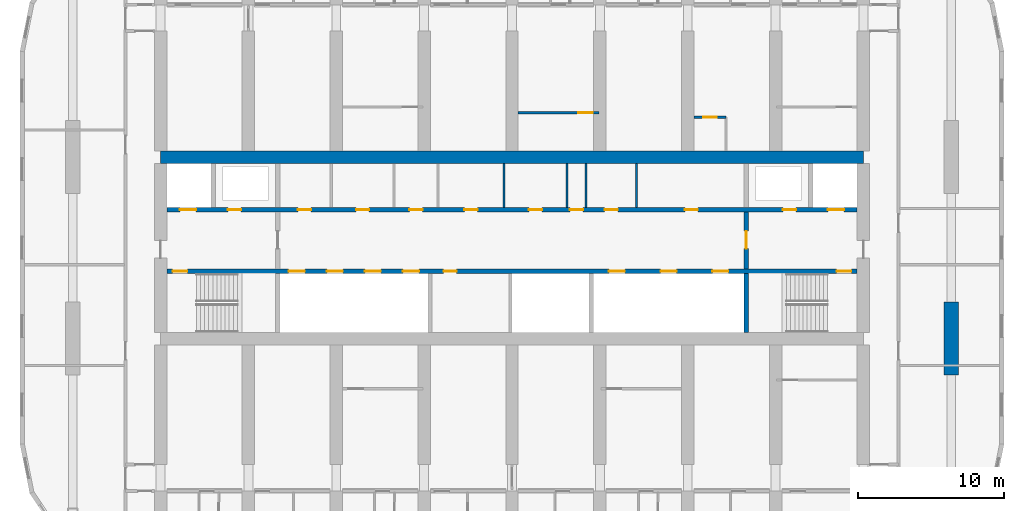
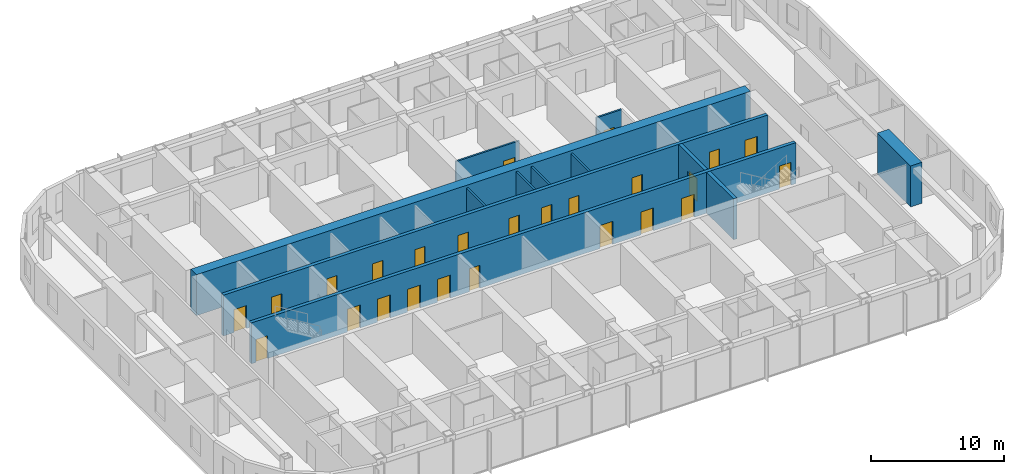
# One storey, part 13 of 22: 25 doors, 12 walls, 25 openings.
"""IFC4 building model written with IfcOpenShell, lengths in metres."""

from ifc_helpers import new_model, si_unit, direction, frame, frame_2d, origin, place, context, subcontext, project, spatial, rectangle, extrude, material, layer, layer_set, type_object, element, fill, save


model = new_model("IFC4")

# Units and contexts
model_context = context("Model", 3, precision=1e-05, world=origin(), true_north=direction((0.0, 1.0)))
body_context = subcontext(model_context, "Body", "Model", "MODEL_VIEW")
ifc_project = project(units=[si_unit("LENGTHUNIT", "METRE"), si_unit("AREAUNIT", "SQUARE_METRE"), si_unit("VOLUMEUNIT", "CUBIC_METRE"), si_unit("PLANEANGLEUNIT", "RADIAN"), si_unit("MASSUNIT", "GRAM", prefix="KILO")], contexts=[model_context])

# Site, building, storey
site_placement = place(None, origin())
site = spatial("IfcSite", under=ifc_project, at=site_placement, CompositionType="ELEMENT")
building_placement = place(site_placement, origin())
building = spatial("IfcBuilding", under=site, at=building_placement, Name="Orbita Commons", CompositionType="ELEMENT")
storey_placement = place(building_placement, frame((0.0, 0.0, 156.10009765625)))
storey = spatial("IfcBuildingStorey", under=building, at=storey_placement, Name="L38", CompositionType="ELEMENT", Elevation=156.10009765625)

# Wall, openings, doors
ifc_material_1 = material(Name="Concrete C50/60", Category="concrete")
ifc_layer_1 = layer(ifc_material_1, 0.300048828125)
ifc_layer_set_1 = layer_set([ifc_layer_1], Name="Concrete C50/60")
wall_type_1 = type_object("IfcWallType", Name="Core inner wall 300 C50/60", PredefinedType="SHEAR", material=ifc_layer_set_1)
wall_1_placement = place(storey_placement, frame((18.425048828125, 30.39990234375, 0.0), z_axis=(0.0, 0.0, 1.0), x_axis=(1.0, 0.0, 0.0)))
wall_1 = element("IfcWall", 1, at=wall_1_placement, inside=storey, type_object=wall_type_1, Name="Lobby wall south L38", PredefinedType="SHEAR", context=body_context, shape_type="SweptSolid", body=[
    extrude(rectangle(XDim=47.14990234375, YDim=0.300048828125, at=frame_2d((23.574951171875, 0.0))), origin(), (0.0, 0.0, 1.0), 3.75),
])
opening_1_placement = place(wall_1_placement, frame((0.39990234375, 0.0, 0.0)))
opening_1 = element("IfcOpeningElement", 2, at=opening_1_placement, cuts=wall_1, Name="Opening D02", PredefinedType="OPENING", context=body_context, shape_type="SweptSolid", body=[
    extrude(rectangle(XDim=1.0, YDim=2.10009765625, at=frame_2d((0.5, 1.050048828125))), frame((0.0, 0.159912109375, 0.0), z_axis=(0.0, -1.0, 0.0), x_axis=(1.0, 0.0, 0.0)), (0.0, 0.0, 1.0), 0.320068359375),
])
opening_2_placement = place(wall_1_placement, frame((45.75, 0.0, 0.0)))
opening_2 = element("IfcOpeningElement", 3, at=opening_2_placement, cuts=wall_1, Name="Opening D02", PredefinedType="OPENING", context=body_context, shape_type="SweptSolid", body=[
    extrude(rectangle(XDim=1.0, YDim=2.10009765625, at=frame_2d((0.5, 1.050048828125))), frame((0.0, 0.159912109375, 0.0), z_axis=(0.0, -1.0, 0.0), x_axis=(1.0, 0.0, 0.0)), (0.0, 0.0, 1.0), 0.320068359375),
])
opening_3_placement = place(wall_1_placement, frame((8.324951171875, 0.0, 0.0)))
opening_3 = element("IfcOpeningElement", 4, at=opening_3_placement, cuts=wall_1, Name="Opening LD02", PredefinedType="OPENING", context=body_context, shape_type="SweptSolid", body=[
    extrude(rectangle(XDim=1.10009765625, YDim=2.10009765625, at=frame_2d((0.550048828125, 1.050048828125))), frame((0.0, 0.159912109375, 0.0), z_axis=(0.0, -1.0, 0.0), x_axis=(1.0, 0.0, 0.0)), (0.0, 0.0, 1.0), 0.320068359375),
])
opening_4_placement = place(wall_1_placement, frame((10.925048828125, 0.0, 0.0)))
opening_4 = element("IfcOpeningElement", 5, at=opening_4_placement, cuts=wall_1, Name="Opening LD02", PredefinedType="OPENING", context=body_context, shape_type="SweptSolid", body=[
    extrude(rectangle(XDim=1.10009765625, YDim=2.10009765625, at=frame_2d((0.550048828125, 1.050048828125))), frame((0.0, 0.159912109375, 0.0), z_axis=(0.0, -1.0, 0.0), x_axis=(1.0, 0.0, 0.0)), (0.0, 0.0, 1.0), 0.320068359375),
])
opening_5_placement = place(wall_1_placement, frame((13.52490234375, 0.0, 0.0)))
opening_5 = element("IfcOpeningElement", 6, at=opening_5_placement, cuts=wall_1, Name="Opening LD02", PredefinedType="OPENING", context=body_context, shape_type="SweptSolid", body=[
    extrude(rectangle(XDim=1.10009765625, YDim=2.10009765625, at=frame_2d((0.550048828125, 1.050048828125))), frame((0.0, 0.159912109375, 0.0), z_axis=(0.0, -1.0, 0.0), x_axis=(1.0, 0.0, 0.0)), (0.0, 0.0, 1.0), 0.320068359375),
])
opening_6_placement = place(wall_1_placement, frame((16.125, 0.0, 0.0)))
opening_6 = element("IfcOpeningElement", 7, at=opening_6_placement, cuts=wall_1, Name="Opening LD02", PredefinedType="OPENING", context=body_context, shape_type="SweptSolid", body=[
    extrude(rectangle(XDim=1.10009765625, YDim=2.10009765625, at=frame_2d((0.550048828125, 1.050048828125))), frame((0.0, 0.159912109375, 0.0), z_axis=(0.0, -1.0, 0.0), x_axis=(1.0, 0.0, 0.0)), (0.0, 0.0, 1.0), 0.320068359375),
])
opening_7_placement = place(wall_1_placement, frame((18.89990234375, 0.0, 0.0)))
opening_7 = element("IfcOpeningElement", 8, at=opening_7_placement, cuts=wall_1, Name="Opening D05", PredefinedType="OPENING", context=body_context, shape_type="SweptSolid", body=[
    extrude(rectangle(XDim=0.89990234375, YDim=2.10009765625, at=frame_2d((0.449951171875, 1.050048828125))), frame((0.0, 0.159912109375, 0.0), z_axis=(0.0, -1.0, 0.0), x_axis=(1.0, 0.0, 0.0)), (0.0, 0.0, 1.0), 0.320068359375),
])
opening_8_placement = place(wall_1_placement, frame((30.191650390625, 0.0, 0.0)))
opening_8 = element("IfcOpeningElement", 9, at=opening_8_placement, cuts=wall_1, Name="Opening LD02", PredefinedType="OPENING", context=body_context, shape_type="SweptSolid", body=[
    extrude(rectangle(XDim=1.10009765625, YDim=2.10009765625, at=frame_2d((0.550048828125, 1.050048828125))), frame((0.0, 0.159912109375, 0.0), z_axis=(0.0, -1.0, 0.0), x_axis=(1.0, 0.0, 0.0)), (0.0, 0.0, 1.0), 0.320068359375),
])
opening_9_placement = place(wall_1_placement, frame((33.72509765625, 0.0, 0.0)))
opening_9 = element("IfcOpeningElement", 10, at=opening_9_placement, cuts=wall_1, Name="Opening LD02", PredefinedType="OPENING", context=body_context, shape_type="SweptSolid", body=[
    extrude(rectangle(XDim=1.10009765625, YDim=2.10009765625, at=frame_2d((0.550048828125, 1.050048828125))), frame((0.0, 0.159912109375, 0.0), z_axis=(0.0, -1.0, 0.0), x_axis=(1.0, 0.0, 0.0)), (0.0, 0.0, 1.0), 0.320068359375),
])
opening_10_placement = place(wall_1_placement, frame((37.25830078125, 0.0, 0.0)))
opening_10 = element("IfcOpeningElement", 11, at=opening_10_placement, cuts=wall_1, Name="Opening LD02", PredefinedType="OPENING", context=body_context, shape_type="SweptSolid", body=[
    extrude(rectangle(XDim=1.10009765625, YDim=2.10009765625, at=frame_2d((0.550048828125, 1.050048828125))), frame((0.0, 0.159912109375, 0.0), z_axis=(0.0, -1.0, 0.0), x_axis=(1.0, 0.0, 0.0)), (0.0, 0.0, 1.0), 0.320068359375),
])
ifc_material_2 = material(Name="Steel-faced fire door leaf", Category="steel")
door_type_1 = type_object("IfcDoorType", Name="Fire door 90 min 1000x2100", OperationType="SINGLE_SWING_LEFT", PredefinedType="DOOR", material=ifc_material_2)
door_1_placement = place(opening_1_placement, origin())
door_1 = element("IfcDoor", 12, at=door_1_placement, inside=storey, type_object=door_type_1, Name="Stair S1 door", OperationType="SINGLE_SWING_LEFT", OverallHeight=2.10009765625, OverallWidth=1.0, PredefinedType="DOOR", context=body_context, shape_type="SweptSolid", body=[
    extrude(rectangle(XDim=1.0, YDim=2.10009765625, at=frame_2d((0.5, 1.050048828125))), frame((0.0, 0.02490234375, 0.0), z_axis=(0.0, -1.0, 0.0), x_axis=(1.0, 0.0, 0.0)), (0.0, 0.0, 1.0), 0.050048828125),
])
fill(opening_1, door_1)
door_2_placement = place(opening_2_placement, origin())
door_2 = element("IfcDoor", 13, at=door_2_placement, inside=storey, type_object=door_type_1, Name="Stair S2 door", OperationType="SINGLE_SWING_LEFT", OverallHeight=2.10009765625, OverallWidth=1.0, PredefinedType="DOOR", context=body_context, shape_type="SweptSolid", body=[
    extrude(rectangle(XDim=1.0, YDim=2.10009765625, at=frame_2d((0.5, 1.050048828125))), frame((0.0, 0.02490234375, 0.0), z_axis=(0.0, -1.0, 0.0), x_axis=(1.0, 0.0, 0.0)), (0.0, 0.0, 1.0), 0.050048828125),
])
fill(opening_2, door_2)
ifc_material_3 = material(Name="Steel-faced fire door leaf", Category="steel")
door_type_2 = type_object("IfcDoorType", Name="Lift landing door 1100x2100", OperationType="DOUBLE_DOOR_SLIDING", PredefinedType="DOOR", material=ifc_material_3)
door_3_placement = place(opening_3_placement, origin())
door_3 = element("IfcDoor", 14, at=door_3_placement, inside=storey, type_object=door_type_2, Name="Lift P31 landing door", OperationType="DOUBLE_DOOR_SLIDING", OverallHeight=2.10009765625, OverallWidth=1.10009765625, PredefinedType="DOOR", context=body_context, shape_type="SweptSolid", body=[
    extrude(rectangle(XDim=1.10009765625, YDim=2.10009765625, at=frame_2d((0.550048828125, 1.050048828125))), frame((0.0, 0.02490234375, 0.0), z_axis=(0.0, -1.0, 0.0), x_axis=(1.0, 0.0, 0.0)), (0.0, 0.0, 1.0), 0.050048828125),
])
fill(opening_3, door_3)
door_4_placement = place(opening_4_placement, origin())
door_4 = element("IfcDoor", 15, at=door_4_placement, inside=storey, type_object=door_type_2, Name="Lift P32 landing door", OperationType="DOUBLE_DOOR_SLIDING", OverallHeight=2.10009765625, OverallWidth=1.10009765625, PredefinedType="DOOR", context=body_context, shape_type="SweptSolid", body=[
    extrude(rectangle(XDim=1.10009765625, YDim=2.10009765625, at=frame_2d((0.550048828125, 1.050048828125))), frame((0.0, 0.02490234375, 0.0), z_axis=(0.0, -1.0, 0.0), x_axis=(1.0, 0.0, 0.0)), (0.0, 0.0, 1.0), 0.050048828125),
])
fill(opening_4, door_4)
door_5_placement = place(opening_5_placement, origin())
door_5 = element("IfcDoor", 16, at=door_5_placement, inside=storey, type_object=door_type_2, Name="Lift P33 landing door", OperationType="DOUBLE_DOOR_SLIDING", OverallHeight=2.10009765625, OverallWidth=1.10009765625, PredefinedType="DOOR", context=body_context, shape_type="SweptSolid", body=[
    extrude(rectangle(XDim=1.10009765625, YDim=2.10009765625, at=frame_2d((0.550048828125, 1.050048828125))), frame((0.0, 0.02490234375, 0.0), z_axis=(0.0, -1.0, 0.0), x_axis=(1.0, 0.0, 0.0)), (0.0, 0.0, 1.0), 0.050048828125),
])
fill(opening_5, door_5)
door_6_placement = place(opening_6_placement, origin())
door_6 = element("IfcDoor", 17, at=door_6_placement, inside=storey, type_object=door_type_2, Name="Lift P34 landing door", OperationType="DOUBLE_DOOR_SLIDING", OverallHeight=2.10009765625, OverallWidth=1.10009765625, PredefinedType="DOOR", context=body_context, shape_type="SweptSolid", body=[
    extrude(rectangle(XDim=1.10009765625, YDim=2.10009765625, at=frame_2d((0.550048828125, 1.050048828125))), frame((0.0, 0.02490234375, 0.0), z_axis=(0.0, -1.0, 0.0), x_axis=(1.0, 0.0, 0.0)), (0.0, 0.0, 1.0), 0.050048828125),
])
fill(opening_6, door_6)
door_7_placement = place(opening_8_placement, origin())
door_7 = element("IfcDoor", 18, at=door_7_placement, inside=storey, type_object=door_type_2, Name="Lift SV1 landing door", OperationType="DOUBLE_DOOR_SLIDING", OverallHeight=2.10009765625, OverallWidth=1.10009765625, PredefinedType="DOOR", context=body_context, shape_type="SweptSolid", body=[
    extrude(rectangle(XDim=1.10009765625, YDim=2.10009765625, at=frame_2d((0.550048828125, 1.050048828125))), frame((0.0, 0.02490234375, 0.0), z_axis=(0.0, -1.0, 0.0), x_axis=(1.0, 0.0, 0.0)), (0.0, 0.0, 1.0), 0.050048828125),
])
fill(opening_8, door_7)
door_8_placement = place(opening_9_placement, origin())
door_8 = element("IfcDoor", 19, at=door_8_placement, inside=storey, type_object=door_type_2, Name="Lift SV2 landing door", OperationType="DOUBLE_DOOR_SLIDING", OverallHeight=2.10009765625, OverallWidth=1.10009765625, PredefinedType="DOOR", context=body_context, shape_type="SweptSolid", body=[
    extrude(rectangle(XDim=1.10009765625, YDim=2.10009765625, at=frame_2d((0.550048828125, 1.050048828125))), frame((0.0, 0.02490234375, 0.0), z_axis=(0.0, -1.0, 0.0), x_axis=(1.0, 0.0, 0.0)), (0.0, 0.0, 1.0), 0.050048828125),
])
fill(opening_9, door_8)
door_9_placement = place(opening_10_placement, origin())
door_9 = element("IfcDoor", 20, at=door_9_placement, inside=storey, type_object=door_type_2, Name="Lift SV3 landing door", OperationType="DOUBLE_DOOR_SLIDING", OverallHeight=2.10009765625, OverallWidth=1.10009765625, PredefinedType="DOOR", context=body_context, shape_type="SweptSolid", body=[
    extrude(rectangle(XDim=1.10009765625, YDim=2.10009765625, at=frame_2d((0.550048828125, 1.050048828125))), frame((0.0, 0.02490234375, 0.0), z_axis=(0.0, -1.0, 0.0), x_axis=(1.0, 0.0, 0.0)), (0.0, 0.0, 1.0), 0.050048828125),
])
fill(opening_10, door_9)
ifc_material_4 = material(Name="Steel-faced fire door leaf", Category="steel")
door_type_3 = type_object("IfcDoorType", Name="Service door 20 min 900x2100", OperationType="SINGLE_SWING_LEFT", PredefinedType="DOOR", material=ifc_material_4)
door_10_placement = place(opening_7_placement, origin())
door_10 = element("IfcDoor", 21, at=door_10_placement, inside=storey, type_object=door_type_3, Name="Telecoms room door", OperationType="SINGLE_SWING_LEFT", OverallHeight=2.10009765625, OverallWidth=0.89990234375, PredefinedType="DOOR", context=body_context, shape_type="SweptSolid", body=[
    extrude(rectangle(XDim=0.89990234375, YDim=2.10009765625, at=frame_2d((0.449951171875, 1.050048828125))), frame((0.0, 0.02490234375, 0.0), z_axis=(0.0, -1.0, 0.0), x_axis=(1.0, 0.0, 0.0)), (0.0, 0.0, 1.0), 0.050048828125),
])
fill(opening_7, door_10)

wall_2_placement = place(storey_placement, frame((18.425048828125, 34.60009765625, 0.0), z_axis=(0.0, 0.0, 1.0), x_axis=(1.0, 0.0, 0.0)))
wall_2 = element("IfcWall", 22, at=wall_2_placement, inside=storey, type_object=wall_type_1, Name="Lobby wall north L38", PredefinedType="SHEAR", context=body_context, shape_type="SweptSolid", body=[
    extrude(rectangle(XDim=47.14990234375, YDim=0.300048828125, at=frame_2d((23.574951171875, 0.0))), origin(), (0.0, 0.0, 1.0), 3.75),
])
opening_11_placement = place(wall_2_placement, frame((0.89990234375, 0.0, 0.0)))
opening_11 = element("IfcOpeningElement", 23, at=opening_11_placement, cuts=wall_2, Name="Opening LD01", PredefinedType="OPENING", context=body_context, shape_type="SweptSolid", body=[
    extrude(rectangle(XDim=1.10009765625, YDim=2.10009765625, at=frame_2d((0.550048828125, 1.050048828125))), frame((0.0, 0.159912109375, 0.0), z_axis=(0.0, -1.0, 0.0), x_axis=(1.0, 0.0, 0.0)), (0.0, 0.0, 1.0), 0.320068359375),
])
opening_12_placement = place(wall_2_placement, frame((45.14990234375, 0.0, 0.0)))
opening_12 = element("IfcOpeningElement", 24, at=opening_12_placement, cuts=wall_2, Name="Opening LD01", PredefinedType="OPENING", context=body_context, shape_type="SweptSolid", body=[
    extrude(rectangle(XDim=1.10009765625, YDim=2.10009765625, at=frame_2d((0.550048828125, 1.050048828125))), frame((0.0, 0.159912109375, 0.0), z_axis=(0.0, -1.0, 0.0), x_axis=(1.0, 0.0, 0.0)), (0.0, 0.0, 1.0), 0.320068359375),
])
opening_13_placement = place(wall_2_placement, frame((4.175048828125, 0.0, 0.0)))
opening_13 = element("IfcOpeningElement", 25, at=opening_13_placement, cuts=wall_2, Name="Opening D03", PredefinedType="OPENING", context=body_context, shape_type="SweptSolid", body=[
    extrude(rectangle(XDim=0.89990234375, YDim=2.10009765625, at=frame_2d((0.449951171875, 1.050048828125))), frame((0.0, 0.159912109375, 0.0), z_axis=(0.0, -1.0, 0.0), x_axis=(1.0, 0.0, 0.0)), (0.0, 0.0, 1.0), 0.320068359375),
])
opening_14_placement = place(wall_2_placement, frame((42.074951171875, 0.0, 0.0)))
opening_14 = element("IfcOpeningElement", 26, at=opening_14_placement, cuts=wall_2, Name="Opening D03", PredefinedType="OPENING", context=body_context, shape_type="SweptSolid", body=[
    extrude(rectangle(XDim=0.89990234375, YDim=2.10009765625, at=frame_2d((0.449951171875, 1.050048828125))), frame((0.0, 0.159912109375, 0.0), z_axis=(0.0, -1.0, 0.0), x_axis=(1.0, 0.0, 0.0)), (0.0, 0.0, 1.0), 0.320068359375),
])
opening_15_placement = place(wall_2_placement, frame((8.950439453125, 0.0, 0.0)))
opening_15 = element("IfcOpeningElement", 27, at=opening_15_placement, cuts=wall_2, Name="Opening D05", PredefinedType="OPENING", context=body_context, shape_type="SweptSolid", body=[
    extrude(rectangle(XDim=0.89990234375, YDim=2.10009765625, at=frame_2d((0.449951171875, 1.050048828125))), frame((0.0, 0.159912109375, 0.0), z_axis=(0.0, -1.0, 0.0), x_axis=(1.0, 0.0, 0.0)), (0.0, 0.0, 1.0), 0.320068359375),
])
opening_16_placement = place(wall_2_placement, frame((12.923583984375, 0.0, 0.0)))
opening_16 = element("IfcOpeningElement", 28, at=opening_16_placement, cuts=wall_2, Name="Opening D03", PredefinedType="OPENING", context=body_context, shape_type="SweptSolid", body=[
    extrude(rectangle(XDim=0.89990234375, YDim=2.10009765625, at=frame_2d((0.449951171875, 1.050048828125))), frame((0.0, 0.159912109375, 0.0), z_axis=(0.0, -1.0, 0.0), x_axis=(1.0, 0.0, 0.0)), (0.0, 0.0, 1.0), 0.320068359375),
])
opening_17_placement = place(wall_2_placement, frame((16.5712890625, 0.0, 0.0)))
opening_17 = element("IfcOpeningElement", 29, at=opening_17_placement, cuts=wall_2, Name="Opening D03", PredefinedType="OPENING", context=body_context, shape_type="SweptSolid", body=[
    extrude(rectangle(XDim=0.89990234375, YDim=2.10009765625, at=frame_2d((0.449951171875, 1.050048828125))), frame((0.0, 0.159912109375, 0.0), z_axis=(0.0, -1.0, 0.0), x_axis=(1.0, 0.0, 0.0)), (0.0, 0.0, 1.0), 0.320068359375),
])
opening_18_placement = place(wall_2_placement, frame((20.32958984375, 0.0, 0.0)))
opening_18 = element("IfcOpeningElement", 30, at=opening_18_placement, cuts=wall_2, Name="Opening D05", PredefinedType="OPENING", context=body_context, shape_type="SweptSolid", body=[
    extrude(rectangle(XDim=0.89990234375, YDim=2.10009765625, at=frame_2d((0.449951171875, 1.050048828125))), frame((0.0, 0.159912109375, 0.0), z_axis=(0.0, -1.0, 0.0), x_axis=(1.0, 0.0, 0.0)), (0.0, 0.0, 1.0), 0.320068359375),
])
opening_19_placement = place(wall_2_placement, frame((24.735595703125, 0.0, 0.0)))
opening_19 = element("IfcOpeningElement", 31, at=opening_19_placement, cuts=wall_2, Name="Opening D03", PredefinedType="OPENING", context=body_context, shape_type="SweptSolid", body=[
    extrude(rectangle(XDim=0.89990234375, YDim=2.10009765625, at=frame_2d((0.449951171875, 1.050048828125))), frame((0.0, 0.159912109375, 0.0), z_axis=(0.0, -1.0, 0.0), x_axis=(1.0, 0.0, 0.0)), (0.0, 0.0, 1.0), 0.320068359375),
])
opening_20_placement = place(wall_2_placement, frame((27.533447265625, 0.0, 0.0)))
opening_20 = element("IfcOpeningElement", 32, at=opening_20_placement, cuts=wall_2, Name="Opening D03", PredefinedType="OPENING", context=body_context, shape_type="SweptSolid", body=[
    extrude(rectangle(XDim=0.89990234375, YDim=2.10009765625, at=frame_2d((0.449951171875, 1.050048828125))), frame((0.0, 0.159912109375, 0.0), z_axis=(0.0, -1.0, 0.0), x_axis=(1.0, 0.0, 0.0)), (0.0, 0.0, 1.0), 0.320068359375),
])
opening_21_placement = place(wall_2_placement, frame((29.90576171875, 0.0, 0.0)))
opening_21 = element("IfcOpeningElement", 33, at=opening_21_placement, cuts=wall_2, Name="Opening D05", PredefinedType="OPENING", context=body_context, shape_type="SweptSolid", body=[
    extrude(rectangle(XDim=0.89990234375, YDim=2.10009765625, at=frame_2d((0.449951171875, 1.050048828125))), frame((0.0, 0.159912109375, 0.0), z_axis=(0.0, -1.0, 0.0), x_axis=(1.0, 0.0, 0.0)), (0.0, 0.0, 1.0), 0.320068359375),
])
opening_22_placement = place(wall_2_placement, frame((35.37646484375, 0.0, 0.0)))
opening_22 = element("IfcOpeningElement", 34, at=opening_22_placement, cuts=wall_2, Name="Opening D03", PredefinedType="OPENING", context=body_context, shape_type="SweptSolid", body=[
    extrude(rectangle(XDim=0.89990234375, YDim=2.10009765625, at=frame_2d((0.449951171875, 1.050048828125))), frame((0.0, 0.159912109375, 0.0), z_axis=(0.0, -1.0, 0.0), x_axis=(1.0, 0.0, 0.0)), (0.0, 0.0, 1.0), 0.320068359375),
])
ifc_material_5 = material(Name="Steel-faced fire door leaf", Category="steel")
door_type_4 = type_object("IfcDoorType", Name="Firefighting lift landing door 1100x2100", OperationType="DOUBLE_DOOR_SLIDING", PredefinedType="DOOR", material=ifc_material_5)
door_11_placement = place(opening_11_placement, origin())
door_11 = element("IfcDoor", 35, at=door_11_placement, inside=storey, type_object=door_type_4, Name="Firefighting lift FL1 landing door", OperationType="DOUBLE_DOOR_SLIDING", OverallHeight=2.10009765625, OverallWidth=1.10009765625, PredefinedType="DOOR", context=body_context, shape_type="SweptSolid", body=[
    extrude(rectangle(XDim=1.10009765625, YDim=2.10009765625, at=frame_2d((0.550048828125, 1.050048828125))), frame((0.0, 0.02490234375, 0.0), z_axis=(0.0, -1.0, 0.0), x_axis=(1.0, 0.0, 0.0)), (0.0, 0.0, 1.0), 0.050048828125),
])
fill(opening_11, door_11)
door_12_placement = place(opening_12_placement, origin())
door_12 = element("IfcDoor", 36, at=door_12_placement, inside=storey, type_object=door_type_4, Name="Firefighting lift FL2 landing door", OperationType="DOUBLE_DOOR_SLIDING", OverallHeight=2.10009765625, OverallWidth=1.10009765625, PredefinedType="DOOR", context=body_context, shape_type="SweptSolid", body=[
    extrude(rectangle(XDim=1.10009765625, YDim=2.10009765625, at=frame_2d((0.550048828125, 1.050048828125))), frame((0.0, 0.02490234375, 0.0), z_axis=(0.0, -1.0, 0.0), x_axis=(1.0, 0.0, 0.0)), (0.0, 0.0, 1.0), 0.050048828125),
])
fill(opening_12, door_12)
door_13_placement = place(opening_15_placement, origin())
door_13 = element("IfcDoor", 37, at=door_13_placement, inside=storey, type_object=door_type_3, Name="Staff WC door", OperationType="SINGLE_SWING_LEFT", OverallHeight=2.10009765625, OverallWidth=0.89990234375, PredefinedType="DOOR", context=body_context, shape_type="SweptSolid", body=[
    extrude(rectangle(XDim=0.89990234375, YDim=2.10009765625, at=frame_2d((0.449951171875, 1.050048828125))), frame((0.0, 0.02490234375, 0.0), z_axis=(0.0, -1.0, 0.0), x_axis=(1.0, 0.0, 0.0)), (0.0, 0.0, 1.0), 0.050048828125),
])
fill(opening_15, door_13)
door_14_placement = place(opening_18_placement, origin())
door_14 = element("IfcDoor", 38, at=door_14_placement, inside=storey, type_object=door_type_3, Name="Vending and ice room door", OperationType="SINGLE_SWING_LEFT", OverallHeight=2.10009765625, OverallWidth=0.89990234375, PredefinedType="DOOR", context=body_context, shape_type="SweptSolid", body=[
    extrude(rectangle(XDim=0.89990234375, YDim=2.10009765625, at=frame_2d((0.449951171875, 1.050048828125))), frame((0.0, 0.02490234375, 0.0), z_axis=(0.0, -1.0, 0.0), x_axis=(1.0, 0.0, 0.0)), (0.0, 0.0, 1.0), 0.050048828125),
])
fill(opening_18, door_14)
door_15_placement = place(opening_21_placement, origin())
door_15 = element("IfcDoor", 39, at=door_15_placement, inside=storey, type_object=door_type_3, Name="Accessible WC door", OperationType="SINGLE_SWING_LEFT", OverallHeight=2.10009765625, OverallWidth=0.89990234375, PredefinedType="DOOR", context=body_context, shape_type="SweptSolid", body=[
    extrude(rectangle(XDim=0.89990234375, YDim=2.10009765625, at=frame_2d((0.449951171875, 1.050048828125))), frame((0.0, 0.02490234375, 0.0), z_axis=(0.0, -1.0, 0.0), x_axis=(1.0, 0.0, 0.0)), (0.0, 0.0, 1.0), 0.050048828125),
])
fill(opening_21, door_15)
ifc_material_6 = material(Name="Steel-faced fire door leaf", Category="steel")
door_type_5 = type_object("IfcDoorType", Name="Shaft access door 90 min 900x2100", OperationType="SINGLE_SWING_LEFT", PredefinedType="DOOR", material=ifc_material_6)
door_16_placement = place(opening_13_placement, origin())
door_16 = element("IfcDoor", 40, at=door_16_placement, inside=storey, type_object=door_type_5, Name="Riser door west", OperationType="SINGLE_SWING_LEFT", OverallHeight=2.10009765625, OverallWidth=0.89990234375, PredefinedType="DOOR", context=body_context, shape_type="SweptSolid", body=[
    extrude(rectangle(XDim=0.89990234375, YDim=2.10009765625, at=frame_2d((0.449951171875, 1.050048828125))), frame((0.0, 0.02490234375, 0.0), z_axis=(0.0, -1.0, 0.0), x_axis=(1.0, 0.0, 0.0)), (0.0, 0.0, 1.0), 0.050048828125),
])
fill(opening_13, door_16)
door_17_placement = place(opening_14_placement, origin())
door_17 = element("IfcDoor", 41, at=door_17_placement, inside=storey, type_object=door_type_5, Name="Riser door east", OperationType="SINGLE_SWING_LEFT", OverallHeight=2.10009765625, OverallWidth=0.89990234375, PredefinedType="DOOR", context=body_context, shape_type="SweptSolid", body=[
    extrude(rectangle(XDim=0.89990234375, YDim=2.10009765625, at=frame_2d((0.449951171875, 1.050048828125))), frame((0.0, 0.02490234375, 0.0), z_axis=(0.0, -1.0, 0.0), x_axis=(1.0, 0.0, 0.0)), (0.0, 0.0, 1.0), 0.050048828125),
])
fill(opening_14, door_17)
door_18_placement = place(opening_16_placement, origin())
door_18 = element("IfcDoor", 42, at=door_18_placement, inside=storey, type_object=door_type_5, Name="Refuse chute room door", OperationType="SINGLE_SWING_LEFT", OverallHeight=2.10009765625, OverallWidth=0.89990234375, PredefinedType="DOOR", context=body_context, shape_type="SweptSolid", body=[
    extrude(rectangle(XDim=0.89990234375, YDim=2.10009765625, at=frame_2d((0.449951171875, 1.050048828125))), frame((0.0, 0.02490234375, 0.0), z_axis=(0.0, -1.0, 0.0), x_axis=(1.0, 0.0, 0.0)), (0.0, 0.0, 1.0), 0.050048828125),
])
fill(opening_16, door_18)
door_19_placement = place(opening_17_placement, origin())
door_19 = element("IfcDoor", 43, at=door_19_placement, inside=storey, type_object=door_type_5, Name="Electrical riser room door", OperationType="SINGLE_SWING_LEFT", OverallHeight=2.10009765625, OverallWidth=0.89990234375, PredefinedType="DOOR", context=body_context, shape_type="SweptSolid", body=[
    extrude(rectangle(XDim=0.89990234375, YDim=2.10009765625, at=frame_2d((0.449951171875, 1.050048828125))), frame((0.0, 0.02490234375, 0.0), z_axis=(0.0, -1.0, 0.0), x_axis=(1.0, 0.0, 0.0)), (0.0, 0.0, 1.0), 0.050048828125),
])
fill(opening_17, door_19)
door_20_placement = place(opening_19_placement, origin())
door_20 = element("IfcDoor", 44, at=door_20_placement, inside=storey, type_object=door_type_5, Name="Communications room door", OperationType="SINGLE_SWING_LEFT", OverallHeight=2.10009765625, OverallWidth=0.89990234375, PredefinedType="DOOR", context=body_context, shape_type="SweptSolid", body=[
    extrude(rectangle(XDim=0.89990234375, YDim=2.10009765625, at=frame_2d((0.449951171875, 1.050048828125))), frame((0.0, 0.02490234375, 0.0), z_axis=(0.0, -1.0, 0.0), x_axis=(1.0, 0.0, 0.0)), (0.0, 0.0, 1.0), 0.050048828125),
])
fill(opening_19, door_20)
door_21_placement = place(opening_20_placement, origin())
door_21 = element("IfcDoor", 45, at=door_21_placement, inside=storey, type_object=door_type_5, Name="Stair pressurisation duct door", OperationType="SINGLE_SWING_LEFT", OverallHeight=2.10009765625, OverallWidth=0.89990234375, PredefinedType="DOOR", context=body_context, shape_type="SweptSolid", body=[
    extrude(rectangle(XDim=0.89990234375, YDim=2.10009765625, at=frame_2d((0.449951171875, 1.050048828125))), frame((0.0, 0.02490234375, 0.0), z_axis=(0.0, -1.0, 0.0), x_axis=(1.0, 0.0, 0.0)), (0.0, 0.0, 1.0), 0.050048828125),
])
fill(opening_20, door_21)
door_22_placement = place(opening_22_placement, origin())
door_22 = element("IfcDoor", 46, at=door_22_placement, inside=storey, type_object=door_type_5, Name="Linen and housekeeping store door", OperationType="SINGLE_SWING_LEFT", OverallHeight=2.10009765625, OverallWidth=0.89990234375, PredefinedType="DOOR", context=body_context, shape_type="SweptSolid", body=[
    extrude(rectangle(XDim=0.89990234375, YDim=2.10009765625, at=frame_2d((0.449951171875, 1.050048828125))), frame((0.0, 0.02490234375, 0.0), z_axis=(0.0, -1.0, 0.0), x_axis=(1.0, 0.0, 0.0)), (0.0, 0.0, 1.0), 0.050048828125),
])
fill(opening_22, door_22)

# Wall
wall_3_placement = place(storey_placement, frame((58.0, 26.22509765625, 0.0), z_axis=(0.0, 0.0, 1.0), x_axis=(0.0, 1.0, 0.0)))
element("IfcWall", 47, at=wall_3_placement, inside=storey, type_object=wall_type_1, Name="Stair S2 wall L38", PredefinedType="SHEAR", context=body_context, shape_type="SweptSolid", body=[
    extrude(rectangle(XDim=4.02490234375, YDim=0.300048828125, at=frame_2d((2.012451171875, 0.0))), origin(), (0.0, 0.0, 1.0), 3.75),
])

# Wall, opening, door
wall_4_placement = place(storey_placement, frame((58.0, 30.550048828125, 0.0), z_axis=(0.0, 0.0, 1.0), x_axis=(0.0, 1.0, 0.0)))
wall_4 = element("IfcWall", 48, at=wall_4_placement, inside=storey, type_object=wall_type_1, Name="Firefighting lobby wall east L38", PredefinedType="SHEAR", context=body_context, shape_type="SweptSolid", body=[
    extrude(rectangle(XDim=3.89990234375, YDim=0.300048828125, at=frame_2d((1.949951171875, 0.0))), origin(), (0.0, 0.0, 1.0), 3.75),
])
opening_23_placement = place(wall_4_placement, frame((1.39990234375, 0.0, 0.0)))
opening_23 = element("IfcOpeningElement", 49, at=opening_23_placement, cuts=wall_4, Name="Opening D04", PredefinedType="OPENING", context=body_context, shape_type="SweptSolid", body=[
    extrude(rectangle(XDim=1.199951171875, YDim=2.10009765625, at=frame_2d((0.60009765625, 1.050048828125))), frame((0.0, 0.159912109375, 0.0), z_axis=(0.0, -1.0, 0.0), x_axis=(1.0, 0.0, 0.0)), (0.0, 0.0, 1.0), 0.320068359375),
])
ifc_material_7 = material(Name="Steel-faced fire door leaf", Category="steel")
door_type_6 = type_object("IfcDoorType", Name="Service door 20 min 1200x2100", OperationType="SINGLE_SWING_LEFT", PredefinedType="DOOR", material=ifc_material_7)
door_23_placement = place(opening_23_placement, origin())
door_23 = element("IfcDoor", 50, at=door_23_placement, inside=storey, type_object=door_type_6, Name="Lift lobby door east", OperationType="SINGLE_SWING_LEFT", OverallHeight=2.10009765625, OverallWidth=1.199951171875, PredefinedType="DOOR", context=body_context, shape_type="SweptSolid", body=[
    extrude(rectangle(XDim=1.199951171875, YDim=2.10009765625, at=frame_2d((0.60009765625, 1.050048828125))), frame((0.0, 0.02490234375, 0.0), z_axis=(0.0, -1.0, 0.0), x_axis=(1.0, 0.0, 0.0)), (0.0, 0.0, 1.0), 0.050048828125),
])
fill(opening_23, door_23)

# Walls
ifc_material_8 = material(Name="Concrete blockwork", Category="masonry")
ifc_layer_2 = layer(ifc_material_8, 0.14990234375)
ifc_layer_set_2 = layer_set([ifc_layer_2], Name="Concrete blockwork")
wall_type_2 = type_object("IfcWallType", Name="Core partition 150 blockwork", PredefinedType="SOLIDWALL", material=ifc_layer_set_2)
for number, where, z_axis, x_axis, name in (
    (51, (41.463134765625, 34.75, 0.0), (0.0, 0.0, 1.0), (0.0, 1.0, 0.0), "Core partition 150 blockwork L38"),
    (52, (45.75830078125, 34.75, 0.0), (0.0, 0.0, 1.0), (0.0, 1.0, 0.0), "Core partition 150 blockwork L38"),
    (53, (47.058349609375, 34.75, 0.0), (0.0, 0.0, 1.0), (0.0, 1.0, 0.0), "Core partition 150 blockwork L38"),
    (54, (50.5029296875, 34.75, 0.0), (0.0, 0.0, 1.0), (0.0, 1.0, 0.0), "Core partition 150 blockwork L38"),
):
    element("IfcWall", number, at=place(storey_placement, frame(where, z_axis=z_axis, x_axis=x_axis)), inside=storey, type_object=wall_type_2, Name=name, PredefinedType="SOLIDWALL", context=body_context, shape_type="SweptSolid", body=[
        extrude(rectangle(XDim=3.02490234375, YDim=0.14990234375, at=frame_2d((1.512451171875, 0.0))), origin(), (0.0, 0.0, 1.0), 3.5),
    ])
ifc_material_9 = material(Name="Concrete C50/60", Category="concrete")
ifc_layer_3 = layer(ifc_material_9, 0.85009765625)
ifc_layer_set_3 = layer_set([ifc_layer_3], Name="Concrete C50/60")
wall_type_3 = type_object("IfcWallType", Name="Core wall 850 C50/60", PredefinedType="SHEAR", material=ifc_layer_set_3)
wall_5_placement = place(storey_placement, frame((18.0, 38.199951171875, 0.0), z_axis=(0.0, 0.0, 1.0), x_axis=(1.0, 0.0, 0.0)))
element("IfcWall", 55, at=wall_5_placement, inside=storey, type_object=wall_type_3, Name="Core spine wall north L38", PredefinedType="SHEAR", context=body_context, shape_type="SweptSolid", body=[
    extrude(rectangle(XDim=48.0, YDim=0.85009765625, at=frame_2d((24.0, 0.0))), origin(), (0.0, 0.0, 1.0), 3.75),
])
ifc_material_10 = material(Name="Concrete C50/60", Category="concrete")
ifc_layer_4 = layer(ifc_material_10, 1.0)
ifc_layer_set_4 = layer_set([ifc_layer_4], Name="Concrete C50/60")
wall_type_4 = type_object("IfcWallType", Name="End pier 1000x5000 C50/60", PredefinedType="SHEAR", material=ifc_layer_set_4)
wall_6_placement = place(storey_placement, frame((72.0, 23.300048828125, 0.0), z_axis=(0.0, 0.0, 1.0), x_axis=(0.0, 1.0, 0.0)))
element("IfcWall", 56, at=wall_6_placement, inside=storey, type_object=wall_type_4, Name="End pier 13/C L38", PredefinedType="SHEAR", context=body_context, shape_type="SweptSolid", body=[
    extrude(rectangle(XDim=5.0, YDim=1.0, at=frame_2d((2.5, 0.0))), origin(), (0.0, 0.0, 1.0), 3.75),
])

# Wall, opening, door
ifc_material_11 = material(Name="Gypsum plasterboard on steel studs", Category="steel")
ifc_layer_5 = layer(ifc_material_11, 0.14990234375)
ifc_layer_set_5 = layer_set([ifc_layer_5], Name="Gypsum plasterboard on steel studs")
wall_type_5 = type_object("IfcWallType", Name="Partition 150 plasterboard", PredefinedType="PARTITIONING", material=ifc_layer_set_5)
wall_7_placement = place(storey_placement, frame((47.925048828125, 41.22509765625, 0.0), z_axis=(0.0, 0.0, 1.0), x_axis=(-1.0, 0.0, 0.0)))
wall_7 = element("IfcWall", 57, at=wall_7_placement, inside=storey, type_object=wall_type_5, Name="Partition 150 plasterboard L38", PredefinedType="PARTITIONING", context=body_context, shape_type="SweptSolid", body=[
    extrude(rectangle(XDim=5.5, YDim=0.14990234375, at=frame_2d((2.75, 0.0))), origin(), (0.0, 0.0, 1.0), 3.5),
])
opening_24_placement = place(wall_7_placement, frame((0.39990234375, 0.0, 0.0)))
opening_24 = element("IfcOpeningElement", 58, at=opening_24_placement, cuts=wall_7, Name="Opening D17", PredefinedType="OPENING", context=body_context, shape_type="SweptSolid", body=[
    extrude(rectangle(XDim=1.0, YDim=2.10009765625, at=frame_2d((0.5, 1.050048828125))), frame((0.0, 0.0849609375, 0.0), z_axis=(0.0, -1.0, 0.0), x_axis=(1.0, 0.0, 0.0)), (0.0, 0.0, 1.0), 0.169921875),
])
ifc_material_12 = material(Name="Steel-faced fire door leaf", Category="steel")
door_type_7 = type_object("IfcDoorType", Name="Shaft access door 90 min 1000x2100", OperationType="SINGLE_SWING_LEFT", PredefinedType="DOOR", material=ifc_material_12)
door_24_placement = place(opening_24_placement, origin())
door_24 = element("IfcDoor", 59, at=door_24_placement, inside=storey, type_object=door_type_7, Name="Electrical and data room L38-BDN42 door", OperationType="SINGLE_SWING_LEFT", OverallHeight=2.10009765625, OverallWidth=1.0, PredefinedType="DOOR", context=body_context, shape_type="SweptSolid", body=[
    extrude(rectangle(XDim=1.0, YDim=2.10009765625, at=frame_2d((0.5, 1.050048828125))), frame((0.0, 0.02490234375, 0.0), z_axis=(0.0, -1.0, 0.0), x_axis=(1.0, 0.0, 0.0)), (0.0, 0.0, 1.0), 0.050048828125),
])
fill(opening_24, door_24)

wall_8_placement = place(storey_placement, frame((56.625, 40.925048828125, 0.0), z_axis=(0.0, 0.0, 1.0), x_axis=(-1.0, 0.0, 0.0)))
wall_8 = element("IfcWall", 60, at=wall_8_placement, inside=storey, type_object=wall_type_5, Name="Partition 150 plasterboard L38", PredefinedType="PARTITIONING", context=body_context, shape_type="SweptSolid", body=[
    extrude(rectangle(XDim=2.199951171875, YDim=0.14990234375, at=frame_2d((1.10009765625, 0.0))), origin(), (0.0, 0.0, 1.0), 3.5),
])
opening_25_placement = place(wall_8_placement, frame((0.64990234375, 0.0, 0.0)))
opening_25 = element("IfcOpeningElement", 61, at=opening_25_placement, cuts=wall_8, Name="Opening D05", PredefinedType="OPENING", context=body_context, shape_type="SweptSolid", body=[
    extrude(rectangle(XDim=0.89990234375, YDim=2.10009765625, at=frame_2d((0.449951171875, 1.050048828125))), frame((0.0, 0.0849609375, 0.0), z_axis=(0.0, -1.0, 0.0), x_axis=(1.0, 0.0, 0.0)), (0.0, 0.0, 1.0), 0.169921875),
])
door_25_placement = place(opening_25_placement, origin())
door_25 = element("IfcDoor", 62, at=door_25_placement, inside=storey, type_object=door_type_3, Name="Accessible WC L38-BDN54 door", OperationType="SINGLE_SWING_LEFT", OverallHeight=2.10009765625, OverallWidth=0.89990234375, PredefinedType="DOOR", context=body_context, shape_type="SweptSolid", body=[
    extrude(rectangle(XDim=0.89990234375, YDim=2.10009765625, at=frame_2d((0.449951171875, 1.050048828125))), frame((0.0, 0.02490234375, 0.0), z_axis=(0.0, -1.0, 0.0), x_axis=(1.0, 0.0, 0.0)), (0.0, 0.0, 1.0), 0.050048828125),
])
fill(opening_25, door_25)

save(model, "model.ifc")
